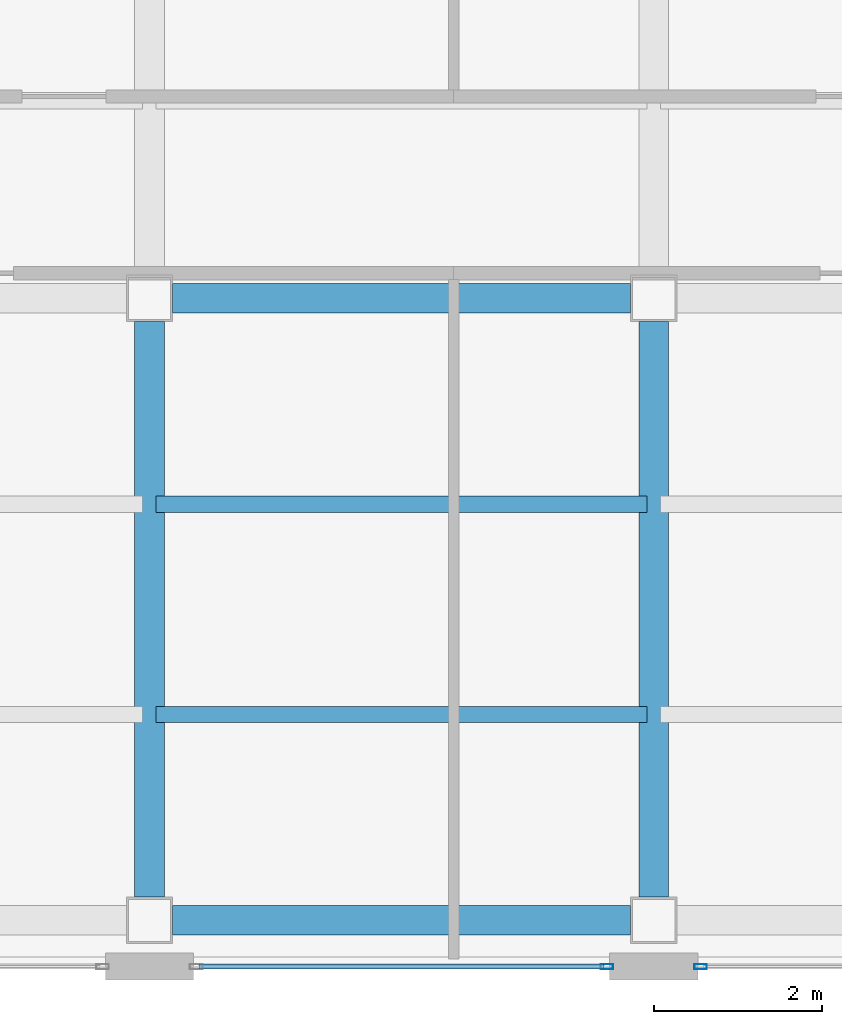
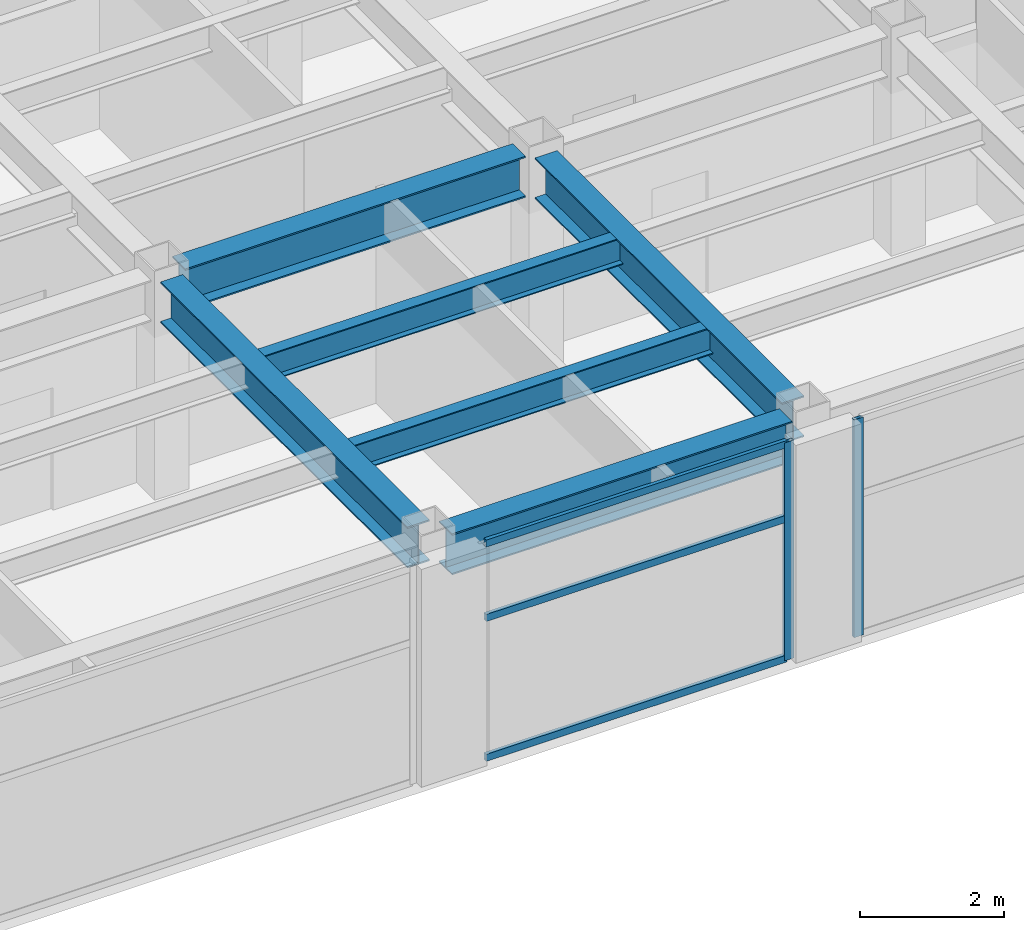
# One storey, part 5 of 17: 6 beams, 5 members, 2 elements without a shape of their own.
"""IFC4 building model written with IfcOpenShell, lengths in metres."""

from ifc_helpers import new_model, si_unit, direction, frame, origin, origin_2d, place, context, subcontext, project, spatial, hollow_rectangle, i_section, extrude, material, layer, layer_set, material_profile, profile_set, type_object, element, aggregate, save


model = new_model("IFC4")

# Units and contexts
model_context = context("Model", 3, precision=1e-05, world=origin(), true_north=direction((0.0, 1.0)))
body_context = subcontext(model_context, "Body", "Model", "MODEL_VIEW")
ifc_project = project(units=[si_unit("LENGTHUNIT", "METRE"), si_unit("AREAUNIT", "SQUARE_METRE"), si_unit("VOLUMEUNIT", "CUBIC_METRE"), si_unit("PLANEANGLEUNIT", "RADIAN"), si_unit("MASSUNIT", "GRAM", prefix="KILO")], contexts=[model_context])

# Site, building, storey
site_placement = place(None, origin())
site = spatial("IfcSite", under=ifc_project, at=site_placement, CompositionType="ELEMENT")
building_placement = place(site_placement, origin())
building = spatial("IfcBuilding", under=site, at=building_placement, Name="Mawjaban Terraces University", CompositionType="ELEMENT")
storey_placement = place(building_placement, frame((0.0, 0.0, 85.60009765625)))
storey = spatial("IfcBuildingStorey", under=building, at=storey_placement, Name="L20", CompositionType="ELEMENT", Elevation=85.60009765625)

# Beams
ifc_material_1 = material(Name="Steel ASTM A572 Grade 50", Category="steel")
ifc_material_profile_1 = material_profile(ifc_material_1, i_section(OverallWidth=0.35498046875, OverallDepth=0.695068359375, WebThickness=0.015380859375, FlangeThickness=0.02490234375, at=origin_2d()), Name="W690X217")
ifc_profile_set_1 = profile_set([ifc_material_profile_1], Name="Steel ASTM A572 Grade 50")
beam_type_1 = type_object("IfcBeamType", Name="Beam_B_W690X217", PredefinedType="BEAM", material=ifc_profile_set_1)
for number, where, z_axis, x_axis, name in (
    (1, (46.27490234375, 0.550048828125, 3.343017578125), (1.0, 0.0, 0.0), (0.0, 1.0, 0.0), "L20 Beam BM-L20-EW-02"),
    (2, (46.27490234375, 7.949951171875, 3.343017578125), (1.0, 0.0, 0.0), (0.0, 1.0, 0.0), "L20 Beam BM-L20-EW-07"),
):
    element("IfcBeam", number, at=place(storey_placement, frame(where, z_axis=z_axis, x_axis=x_axis)), inside=storey, type_object=beam_type_1, Name=name, PredefinedType="BEAM", context=body_context, shape_type="SweptSolid", body=[
        extrude(i_section(OverallWidth=0.35498046875, OverallDepth=0.695068359375, WebThickness=0.015380859375, FlangeThickness=0.02490234375, at=origin_2d()), origin(), (0.0, 0.0, 1.0), 5.4501953125),
    ])
for number, where, z_axis, x_axis, name in (
    (3, (46.0, 0.824951171875, 3.343017578125), (0.0, 1.0, 0.0), (-1.0, 0.0, 0.0), "L20 Beam BM-L20-NS-14"),
    (4, (52.0, 0.824951171875, 3.343017578125), (0.0, 1.0, 0.0), (-1.0, 0.0, 0.0), "L20 Beam BM-L20-NS-16"),
):
    element("IfcBeam", number, at=place(storey_placement, frame(where, z_axis=z_axis, x_axis=x_axis)), inside=storey, type_object=beam_type_1, Name=name, PredefinedType="BEAM", context=body_context, shape_type="SweptSolid", body=[
        extrude(i_section(OverallWidth=0.35498046875, OverallDepth=0.695068359375, WebThickness=0.015380859375, FlangeThickness=0.02490234375, at=origin_2d()), origin(), (0.0, 0.0, 1.0), 6.85009765625),
    ])
ifc_material_profile_2 = material_profile(ifc_material_1, i_section(OverallWidth=0.19189453125, OverallDepth=0.462890625, WebThickness=0.010498046875, FlangeThickness=0.017578125, at=origin_2d()), Name="W460X89")
ifc_profile_set_2 = profile_set([ifc_material_profile_2], Name="Steel ASTM A572 Grade 50")
beam_type_2 = type_object("IfcBeamType", Name="Beam_J_W460X89", PredefinedType="JOIST", material=ifc_profile_set_2)
for number, where, z_axis, x_axis, name in (
    (5, (46.080078125, 3.0, 3.458984375), (1.0, 0.0, 0.0), (0.0, 1.0, 0.0), "L20 Composite Joist JST-L20-02"),
    (6, (46.080078125, 5.5, 3.458984375), (1.0, 0.0, 0.0), (0.0, 1.0, 0.0), "L20 Composite Joist JST-L20-07"),
):
    element("IfcBeam", number, at=place(storey_placement, frame(where, z_axis=z_axis, x_axis=x_axis)), inside=storey, type_object=beam_type_2, Name=name, PredefinedType="JOIST", context=body_context, shape_type="SweptSolid", body=[
        extrude(i_section(OverallWidth=0.19189453125, OverallDepth=0.462890625, WebThickness=0.010498046875, FlangeThickness=0.017578125, at=origin_2d()), origin(), (0.0, 0.0, 1.0), 5.83984375),
    ])

# Curtain wall, member
ifc_material_2 = material(Name="Anodised aluminium 6063-T6 and solar-control low-E glass", Category="aluminium")
ifc_layer = layer(ifc_material_2, 0.1650390625)
ifc_layer_set = layer_set([ifc_layer], Name="Anodised aluminium 6063-T6 and solar-control low-E glass")
curtain_wall_type = type_object("IfcCurtainWallType", Name="CWSystem_04_EastWing", PredefinedType="NOTDEFINED", material=ifc_layer_set)
curtain_wall_1_placement = place(storey_placement, origin())
curtain_wall_1 = element("IfcCurtainWall", 7, at=curtain_wall_1_placement, inside=storey, type_object=curtain_wall_type, Name="L20 Curtain Wall CW-04 Run 1.3", PredefinedType="NOTDEFINED")
ifc_material_3 = material(Name="Anodised aluminium 6063-T6", Category="aluminium")
ifc_material_profile_3 = material_profile(ifc_material_3, hollow_rectangle(XDim=0.06005859375, YDim=0.14990234375, WallThickness=0.00390625, at=origin_2d()), Name="ALU150X60X4")
ifc_profile_set_3 = profile_set([ifc_material_profile_3], Name="Anodised aluminium 6063-T6")
member_type_1 = type_object("IfcMemberType", Name="Mullion_CW-04", PredefinedType="MULLION", material=ifc_profile_set_3)
member_1_placement = place(storey_placement, frame((51.4423828125, 0.0, 0.0), z_axis=(0.0, 0.0, 1.0), x_axis=(0.0, 1.0, 0.0)))
member_1 = element("IfcMember", 8, at=member_1_placement, type_object=member_type_1, Name="CW-04 mullion 2", PredefinedType="MULLION", context=body_context, shape_type="SweptSolid", body=[
    extrude(hollow_rectangle(XDim=0.06005859375, YDim=0.14990234375, WallThickness=0.00390625, at=origin_2d()), origin(), (0.0, 0.0, 1.0), 3.68994140625),
])

curtain_wall_2_placement = place(storey_placement, origin())
curtain_wall_2 = element("IfcCurtainWall", 9, at=curtain_wall_2_placement, inside=storey, type_object=curtain_wall_type, Name="L20 Curtain Wall CW-04 Run 1.4", PredefinedType="NOTDEFINED")
member_2_placement = place(storey_placement, frame((52.5576171875, 0.0, 0.0), z_axis=(0.0, 0.0, 1.0), x_axis=(0.0, 1.0, 0.0)))
member_2 = element("IfcMember", 10, at=member_2_placement, type_object=member_type_1, Name="CW-04 mullion 1", PredefinedType="MULLION", context=body_context, shape_type="SweptSolid", body=[
    extrude(hollow_rectangle(XDim=0.06005859375, YDim=0.14990234375, WallThickness=0.00390625, at=origin_2d()), origin(), (0.0, 0.0, 1.0), 3.68994140625),
])
aggregate(curtain_wall_2, [member_2])

# Member
ifc_material_profile_4 = material_profile(ifc_material_3, hollow_rectangle(XDim=0.06005859375, YDim=0.1201171875, WallThickness=0.00341796875, at=origin_2d()), Name="ALU120X60X3.5")
ifc_profile_set_4 = profile_set([ifc_material_profile_4], Name="Anodised aluminium 6063-T6")
member_type_2 = type_object("IfcMemberType", Name="Transom_CW-04", PredefinedType="NOTDEFINED", material=ifc_profile_set_4)
member_3_placement = place(storey_placement, frame((46.590087890625, 0.0, 0.02978515625), z_axis=(1.0, 0.0, 0.0), x_axis=(0.0, 1.0, 0.0)))
member_3 = element("IfcMember", 11, at=member_3_placement, type_object=member_type_2, Name="CW-04 transom 1.1", ObjectType="TRANSOM", PredefinedType="USERDEFINED", context=body_context, shape_type="SweptSolid", body=[
    extrude(hollow_rectangle(XDim=0.06005859375, YDim=0.1201171875, WallThickness=0.00341796875, at=origin_2d()), origin(), (0.0, 0.0, 1.0), 4.81982421875),
])

member_4_placement = place(storey_placement, frame((46.590087890625, 0.0, 2.39892578125), z_axis=(1.0, 0.0, 0.0), x_axis=(0.0, 1.0, 0.0)))
member_4 = element("IfcMember", 12, at=member_4_placement, type_object=member_type_2, Name="CW-04 transom 1.2", ObjectType="TRANSOM", PredefinedType="USERDEFINED", context=body_context, shape_type="SweptSolid", body=[
    extrude(hollow_rectangle(XDim=0.06005859375, YDim=0.1201171875, WallThickness=0.00341796875, at=origin_2d()), origin(), (0.0, 0.0, 1.0), 4.81982421875),
])

member_5_placement = place(storey_placement, frame((46.590087890625, 0.0, 3.659912109375), z_axis=(1.0, 0.0, 0.0), x_axis=(0.0, 1.0, 0.0)))
member_5 = element("IfcMember", 13, at=member_5_placement, type_object=member_type_2, Name="CW-04 transom 1.3", ObjectType="TRANSOM", PredefinedType="USERDEFINED", context=body_context, shape_type="SweptSolid", body=[
    extrude(hollow_rectangle(XDim=0.06005859375, YDim=0.1201171875, WallThickness=0.00341796875, at=origin_2d()), origin(), (0.0, 0.0, 1.0), 4.81982421875),
])

aggregate(curtain_wall_1, [member_1, member_3, member_4, member_5])

save(model, "model.ifc")
